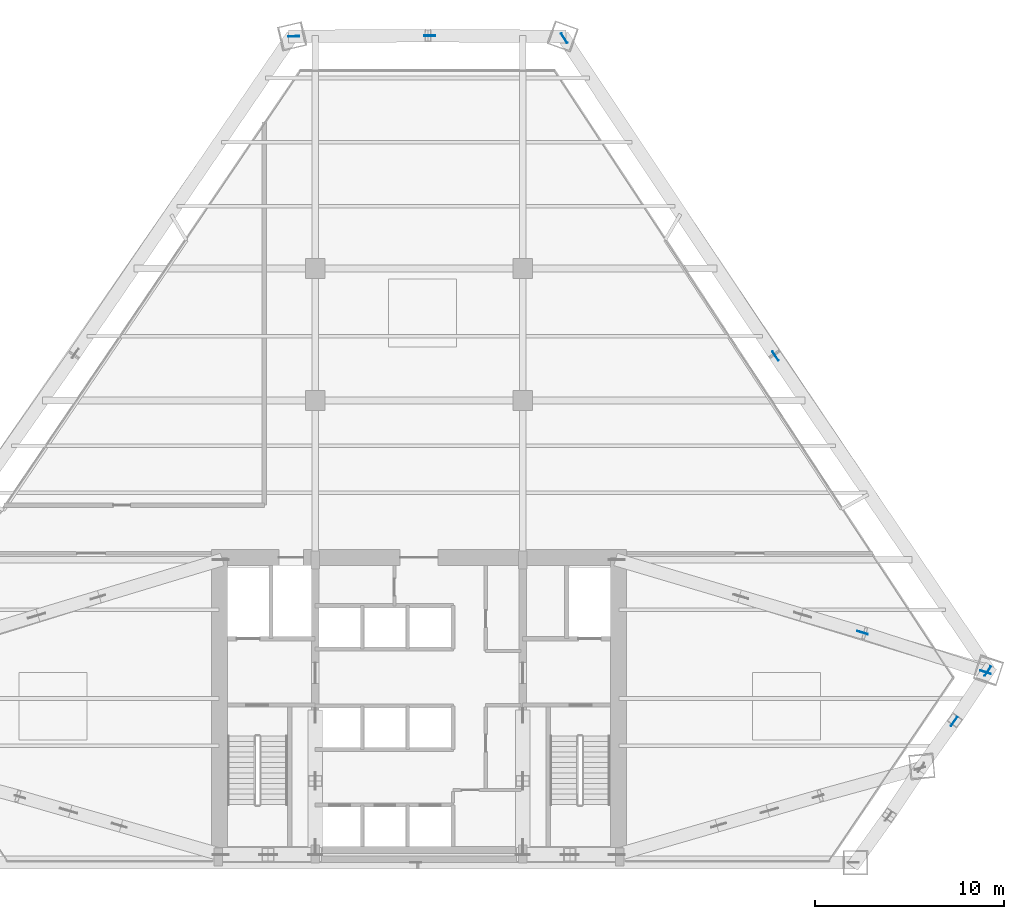
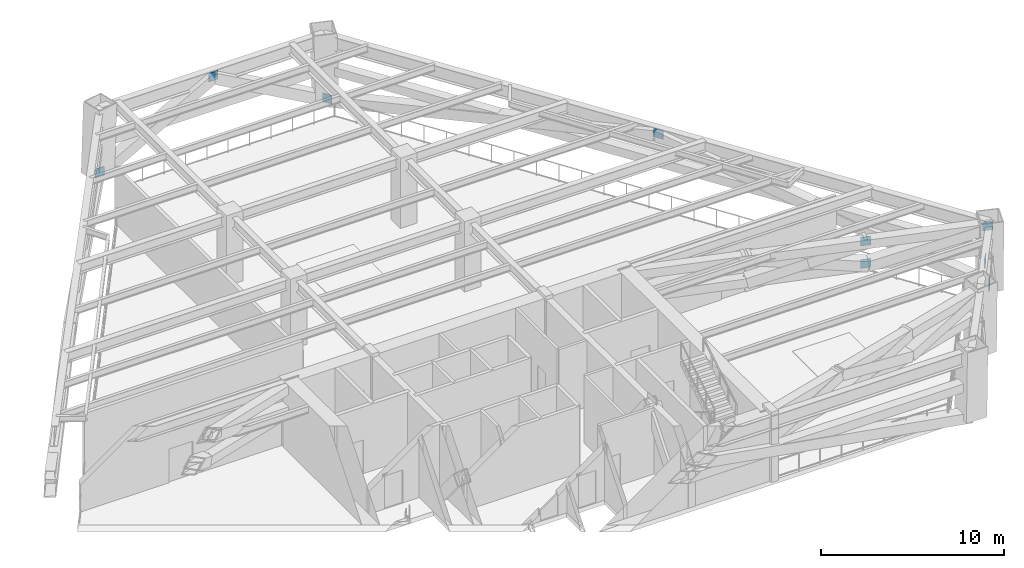
# One storey, part 6 of 10: 9 plates.
"""IFC4 building model written with IfcOpenShell, lengths in metres."""

import ifcopenshell
import ifcopenshell.guid

model = None  # the IFC model being written
_history = None  # IfcOwnerHistory: only IFC2X3 demands one
_inside = {}  # id of a spatial element -> (the spatial element, [elements in it])
_under = {}  # id of a project, library or spatial element -> (it, [spatial elements below it])
_declared = {}  # id of a project -> (the project, [libraries it declares])
_typed = {}  # id of a type object -> (the type object, [elements of that type])
_made_of = {}  # id of a material, layer set ... -> (it, [elements and type objects made of it])


def new_model(schema):
    """Start an empty IFC model of exactly this schema.

    Asked for "IFC4X3", IfcOpenShell would pick the latest addendum, in which some entities
    have other attributes; the version numbers below select the first issue.
    IFC2X3 requires an IfcOwnerHistory on every rooted entity: one is made here for all.
    """
    global model, _history
    if schema == "IFC4X3":
        model = ifcopenshell.file(schema_version=(4, 3, 0, 0))
    else:
        model = ifcopenshell.file(schema=schema)
    _inside.clear()
    _under.clear()
    _declared.clear()
    _typed.clear()
    _made_of.clear()
    _history = None
    if model.schema == "IFC2X3":
        org = make("IfcOrganization", Name="unknown")
        user = make(
            "IfcPersonAndOrganization",
            ThePerson=make("IfcPerson", FamilyName="unknown"),
            TheOrganization=org,
        )
        app = make(
            "IfcApplication",
            ApplicationDeveloper=org,
            Version="unknown",
            ApplicationFullName="unknown",
            ApplicationIdentifier="unknown",
        )
        _history = make(
            "IfcOwnerHistory",
            OwningUser=user,
            OwningApplication=app,
            ChangeAction="ADDED",
            CreationDate=0,
        )
    return model


def make(cls, **values):
    """One entity of the class cls with the attributes given. An attribute that is None is left unset."""
    return model.create_entity(
        cls, **{name: value for name, value in values.items() if value is not None}
    )


def rooted(cls, **values):
    """An entity with a GlobalId (a new one), such as an element, a storey or a relation."""
    return make(cls, GlobalId=ifcopenshell.guid.new(), OwnerHistory=_history, **values)


def si_unit(unit_type, name, prefix=None):
    """IfcSIUnit, for example si_unit("LENGTHUNIT", "METRE", prefix="MILLI")."""
    return make("IfcSIUnit", UnitType=unit_type, Prefix=prefix, Name=name)


def assignment(units):
    """IfcUnitAssignment: the units of a project."""
    return None if units is None else make("IfcUnitAssignment", Units=units)


def point(xyz):
    """IfcCartesianPoint."""
    return None if xyz is None else make("IfcCartesianPoint", Coordinates=xyz)


def direction(xyz):
    """IfcDirection."""
    return None if xyz is None else make("IfcDirection", DirectionRatios=xyz)


def frame(location, z_axis=None, x_axis=None):
    """IfcAxis2Placement3D, a coordinate frame: its origin and axes. An axis left out is left unset."""
    return make(
        "IfcAxis2Placement3D",
        Location=point(location),
        Axis=direction(z_axis),
        RefDirection=direction(x_axis),
    )


def frame_2d(location, x_axis=None):
    """IfcAxis2Placement2D, a coordinate frame in the plane: its origin and x axis."""
    return make(
        "IfcAxis2Placement2D", Location=point(location), RefDirection=direction(x_axis)
    )


def origin():
    """The frame at (0, 0, 0) with its axes left unset."""
    return frame((0.0, 0.0, 0.0))


def origin_2d():
    """The frame at (0, 0) in the plane with its x axis left unset."""
    return frame_2d((0.0, 0.0))


def place(relative_to, where):
    """IfcLocalPlacement: puts the frame where relative to a parent placement (None: the world)."""
    return make(
        "IfcLocalPlacement", PlacementRelTo=relative_to, RelativePlacement=where
    )


def context(
    kind, dimensions, precision=None, world=None, true_north=None, identifier=None
):
    """IfcGeometricRepresentationContext, for example the 3D "Model" context."""
    return make(
        "IfcGeometricRepresentationContext",
        ContextIdentifier=identifier,
        ContextType=kind,
        CoordinateSpaceDimension=dimensions,
        Precision=precision,
        WorldCoordinateSystem=world,
        TrueNorth=true_north,
    )


def subcontext(parent, identifier, kind, view, scale=None):
    """IfcGeometricRepresentationSubContext, for example "Body" below "Model"."""
    return make(
        "IfcGeometricRepresentationSubContext",
        ContextIdentifier=identifier,
        ContextType=kind,
        ParentContext=parent,
        TargetScale=scale,
        TargetView=view,
    )


def project(units=None, contexts=None):
    """IfcProject with its units and contexts."""
    return rooted(
        "IfcProject",
        Name="project",
        RepresentationContexts=contexts,
        UnitsInContext=assignment(units),
    )


def spatial(cls, under=None, at=None, **own):
    """A site, building, storey or space (cls), placed at a placement, below another one or the project."""
    s = rooted(cls, ObjectPlacement=at, **own)
    if under is not None:
        _under.setdefault(under.id(), (under, []))[1].append(s)
    return s


def profile(cls, at=None, kind="AREA", **sizes):
    """A parametric profile (cls). Its sizes go by their IFC names, for example OverallWidth=200.0."""
    return make(cls, ProfileType=kind, Position=at, **sizes)


def rectangle(**sizes):
    """IfcRectangleProfileDef."""
    return profile("IfcRectangleProfileDef", **sizes)


def extrude(swept, where, along, depth):
    """IfcExtrudedAreaSolid: the profile swept, set in the frame where, extruded along a direction by depth."""
    return make(
        "IfcExtrudedAreaSolid",
        SweptArea=swept,
        Position=where,
        ExtrudedDirection=direction(along),
        Depth=depth,
    )


def shape(context_of_items, identifier, shape_type, items):
    """IfcShapeRepresentation: the items that make up one representation, for example the "Body"."""
    return make(
        "IfcShapeRepresentation",
        ContextOfItems=context_of_items,
        RepresentationIdentifier=identifier,
        RepresentationType=shape_type,
        Items=items,
    )


def source(mapping_origin, context_of_items, identifier, shape_type, items):
    """IfcRepresentationMap: a shape defined once, which mapped items show again and again."""
    return make(
        "IfcRepresentationMap",
        MappingOrigin=mapping_origin,
        MappedRepresentation=shape(context_of_items, identifier, shape_type, items),
    )


def transform(
    local_origin,
    x_axis=None,
    y_axis=None,
    z_axis=None,
    scale=None,
    scale2=None,
    scale3=None,
    uniform=True,
):
    """IfcCartesianTransformationOperator3D, or its non-uniform kind. x_axis, y_axis, z_axis: its Axis1, 2, 3."""
    if uniform:
        return make(
            "IfcCartesianTransformationOperator3D",
            Axis1=direction(x_axis),
            Axis2=direction(y_axis),
            LocalOrigin=point(local_origin),
            Scale=scale,
            Axis3=direction(z_axis),
        )
    return make(
        "IfcCartesianTransformationOperator3DnonUniform",
        Axis1=direction(x_axis),
        Axis2=direction(y_axis),
        LocalOrigin=point(local_origin),
        Scale=scale,
        Axis3=direction(z_axis),
        Scale2=scale2,
        Scale3=scale3,
    )


def mapped(mapping_source, mapping_target):
    """IfcMappedItem: shows the shape of a source again, moved by a transform."""
    return make(
        "IfcMappedItem", MappingSource=mapping_source, MappingTarget=mapping_target
    )


def material(Name=None, Category=None):
    """IfcMaterial."""
    return make("IfcMaterial", Name=Name, Category=Category)


def layer(
    of_material, thickness, ventilated=None, Name=None, Category=None, Priority=None
):
    """IfcMaterialLayer: one layer of a wall or slab, of a material (None: an air gap)."""
    return make(
        "IfcMaterialLayer",
        Material=of_material,
        LayerThickness=thickness,
        IsVentilated=ventilated,
        Name=Name,
        Category=Category,
        Priority=Priority,
    )


def layer_set(layers, Name=None):
    """IfcMaterialLayerSet."""
    return make("IfcMaterialLayerSet", MaterialLayers=layers, LayerSetName=Name)


def made_of(thing, what):
    """Note that an element or type object is made of a material, layer set ...; save() writes the relation."""
    if what is not None:
        _made_of.setdefault(what.id(), (what, []))[1].append(thing)
    return thing


def type_object(cls, material=None, **own):
    """A type object (cls), such as IfcWallType, which elements share."""
    return made_of(rooted(cls, **own), material)


def element(
    cls,
    number,
    at=None,
    inside=None,
    cuts=None,
    type_object=None,
    material=None,
    context=None,
    identifier="Body",
    shape_type=None,
    held_by="IfcProductDefinitionShape",
    body=None,
    shapes=None,
    **own,
):
    """One element of the class cls, such as IfcWall. Its Tag is "e" and its number.

    at: its placement. inside: the storey or other place that contains it. cuts: it is an
    opening in that element (IfcRelVoidsElement). A single representation is given by context,
    identifier, shape_type and body (its items); several are given by shapes. held_by: the class
    of the entity that holds the representations. save() writes the other relations.
    """
    e = rooted(cls, Tag="e%d" % number, ObjectPlacement=at, **own)
    if body is not None:
        shapes = [shape(context, identifier, shape_type, body)]
    if shapes is not None:
        e.Representation = make(held_by, Representations=shapes)
    if inside is not None:
        _inside.setdefault(inside.id(), (inside, []))[1].append(e)
    if cuts is not None:
        rooted(
            "IfcRelVoidsElement", RelatingBuildingElement=cuts, RelatedOpeningElement=e
        )
    if type_object is not None:
        _typed.setdefault(type_object.id(), (type_object, []))[1].append(e)
    return made_of(e, material)


def aggregate(whole, parts):
    """IfcRelAggregates: a whole, such as a stair, and the parts it consists of."""
    return rooted("IfcRelAggregates", RelatingObject=whole, RelatedObjects=parts)


def save(model, path):
    """Write the relations noted so far, then the file.

    IfcRelAggregates (storeys below a building ...), IfcRelContainedInSpatialStructure (elements
    in a storey), IfcRelDefinesByType, IfcRelAssociatesMaterial and IfcRelDeclares: one each for
    every whole, place, type object, material and project.
    """
    for whole, parts in _under.values():
        aggregate(whole, parts)
    for where, things in _inside.values():
        rooted(
            "IfcRelContainedInSpatialStructure",
            RelatedElements=things,
            RelatingStructure=where,
        )
    for kind, things in _typed.values():
        rooted("IfcRelDefinesByType", RelatedObjects=things, RelatingType=kind)
    for what, things in _made_of.values():
        rooted("IfcRelAssociatesMaterial", RelatedObjects=things, RelatingMaterial=what)
    for by, libraries in _declared.values():
        rooted("IfcRelDeclares", RelatingContext=by, RelatedDefinitions=libraries)
    model.write(path)


model = new_model("IFC4")

# Units and contexts
model_context = context("Model", 3, precision=1e-05, world=origin(), true_north=direction((0.0, 1.0)))
body_context = subcontext(model_context, "Body", "Model", "MODEL_VIEW")
ifc_project = project(units=[si_unit("LENGTHUNIT", "METRE"), si_unit("AREAUNIT", "SQUARE_METRE"), si_unit("VOLUMEUNIT", "CUBIC_METRE"), si_unit("PLANEANGLEUNIT", "RADIAN"), si_unit("MASSUNIT", "GRAM", prefix="KILO")], contexts=[model_context])

# Site, building, storey
site_placement = place(None, origin())
site = spatial("IfcSite", under=ifc_project, at=site_placement, CompositionType="ELEMENT")
building_placement = place(site_placement, origin())
building = spatial("IfcBuilding", under=site, at=building_placement, Name="Varnakhor Terracotta Tower", CompositionType="ELEMENT")
storey_placement = place(building_placement, frame((0.0, 0.0, 71.89990234375)))
storey = spatial("IfcBuildingStorey", under=building, at=storey_placement, Name="L17", CompositionType="ELEMENT", Elevation=71.89990234375)

# Plates
ifc_material = material(Name="Steel S460", Category="steel")
ifc_layer = layer(ifc_material, 0.044921875, Name="Steel S460")
ifc_layer_set = layer_set([ifc_layer], Name="Steel S460")
plate_type = type_object("IfcPlateType", Name="PLT-GUSSET-45", PredefinedType="USERDEFINED", material=ifc_layer_set)
shared_shape = source(origin(), body_context, "Body", "SweptSolid", [
    extrude(rectangle(XDim=0.580078125, YDim=0.0400390625, at=origin_2d()), origin(), (0.0, 0.0, 1.0), 0.580078125),
])
for number, where, z_axis, x_axis, name in (
    (1, (28.37109375, 7.484375, 3.6005859375), (0.0, 0.0, 1.0), (0.582080395503, 0.81313123982, 0.0), "L17 Brace End Connection Plate 57"),
    (2, (30.158935546875, 10.147705078125, -0.196533203125), (0.0, 0.0, 1.0), (-0.55674513992, -0.830683362766, 0.0), "L17 Brace End Connection Plate 58"),
    (3, (18.906982421875, 26.853271484375, 3.67333984375), (0.0, 0.0, 1.0), (-0.561520271794, 0.827462980661, 0.0), "L17 Brace End Connection Plate 59"),
    (4, (7.70263671875, 43.70751953125, -0.266845703125), (0.0, 0.0, 1.0), (0.553565983722, -0.832805320388, 0.0), "L17 Brace End Connection Plate 60"),
    (5, (0.580322265625, 43.84326171875, 3.63818359375), (0.0, 0.0, 1.0), (-0.999985738456, 0.005340682122, 0.0), "L17 Brace End Connection Plate 61"),
    (6, (-6.638916015625, 43.80615234375, -0.23193359375), (0.0, 0.0, 1.0), (0.999986016722, 0.005288322984, 0.0), "L17 Brace End Connection Plate 62"),
    (7, (23.521728515625, 12.190185546875, 2.28662109375), (0.0, 0.0, 1.0), (0.958770150236, -0.28418268599, 0.0), "L17 Brace End Connection Plate 84"),
    (8, (23.521728515625, 12.190185546875, 3.783447265625), (0.0, 0.0, 1.0), (0.958765190166, -0.284199419643, 0.0), "L17 Brace End Connection Plate 86"),
    (9, (30.03955078125, 10.09326171875, 3.783447265625), (0.0, 0.0, 1.0), (0.951830156198, -0.3066257552, 0.0), "L17 Brace End Connection Plate 87"),
):
    element("IfcPlate", number, at=place(storey_placement, frame(where, z_axis=z_axis, x_axis=x_axis)), inside=storey, type_object=plate_type, Name=name, ObjectType="GUSSET PLATE", PredefinedType="USERDEFINED", context=body_context, shape_type="MappedRepresentation", body=[
        mapped(shared_shape, transform((0.0, 0.0, 0.0), scale=1.0)),
    ])

save(model, "model.ifc")
